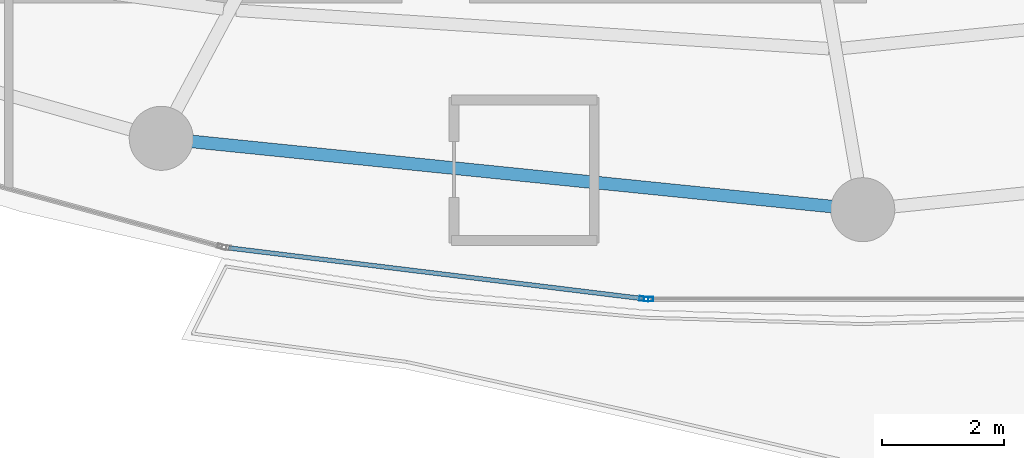
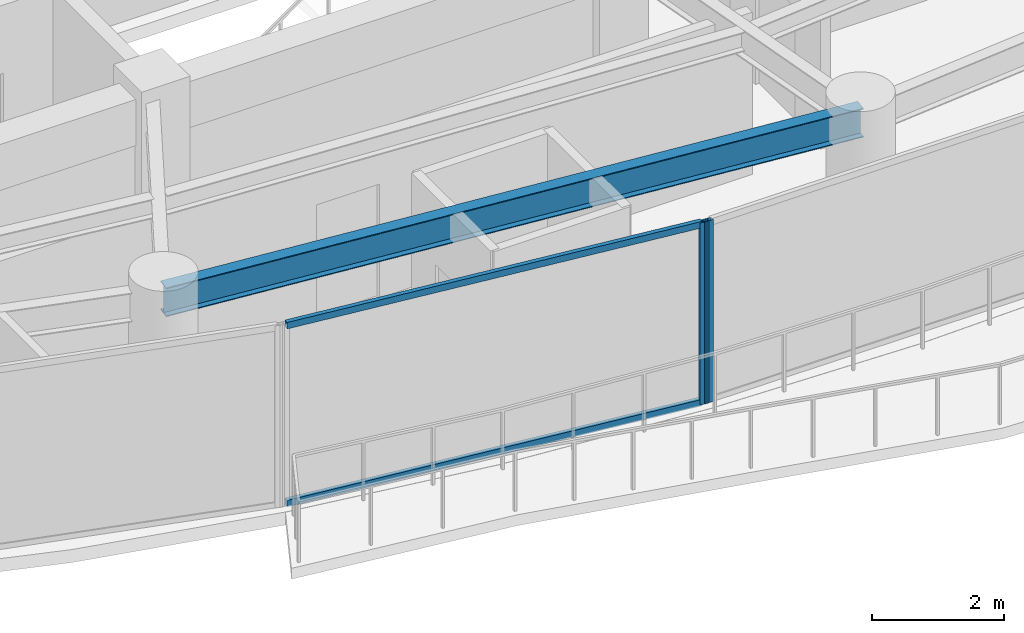
# One storey, part 6 of 31: 4 members, 1 beam, 2 elements without a shape of their own.
"""IFC4 building model written with IfcOpenShell, lengths in metres."""

from ifc_helpers import new_model, si_unit, direction, frame, origin, origin_2d, place, context, subcontext, project, spatial, hollow_rectangle, i_section, extrude, material, layer, layer_set, material_profile, profile_set, type_object, element, aggregate, save


model = new_model("IFC4")

# Units and contexts
model_context = context("Model", 3, precision=1e-05, world=origin(), true_north=direction((0.0, 1.0)))
body_context = subcontext(model_context, "Body", "Model", "MODEL_VIEW")
ifc_project = project(units=[si_unit("LENGTHUNIT", "METRE"), si_unit("AREAUNIT", "SQUARE_METRE"), si_unit("VOLUMEUNIT", "CUBIC_METRE"), si_unit("PLANEANGLEUNIT", "RADIAN"), si_unit("MASSUNIT", "GRAM", prefix="KILO")], contexts=[model_context])

# Site, building, storey
site_placement = place(None, origin())
site = spatial("IfcSite", under=ifc_project, at=site_placement, CompositionType="ELEMENT")
building_placement = place(site_placement, origin())
building = spatial("IfcBuilding", under=site, at=building_placement, Name="Kazevale Care Tower and Concert Hall", CompositionType="ELEMENT")
storey_placement = place(building_placement, frame((0.0, 0.0, 220.800048828125)))
storey = spatial("IfcBuildingStorey", under=building, at=storey_placement, Name="L58", CompositionType="ELEMENT", Elevation=220.800048828125)

# Curtain wall, member
ifc_material_1 = material(Name="Aluminium 6063-T6 and Low-E Glass", Category="aluminium")
ifc_layer = layer(ifc_material_1, 0.179931640625)
ifc_layer_set = layer_set([ifc_layer], Name="Aluminium 6063-T6 and Low-E Glass")
curtain_wall_type = type_object("IfcCurtainWallType", Name="Sheltered Concave Balcony Curtain Wall CW-5", PredefinedType="NOTDEFINED", material=ifc_layer_set)
curtain_wall_1_placement = place(storey_placement, origin())
curtain_wall_1 = element("IfcCurtainWall", 1, at=curtain_wall_1_placement, inside=storey, type_object=curtain_wall_type, Name="cw:L58:f06", PredefinedType="NOTDEFINED")
ifc_material_2 = material(Name="Aluminium 6063-T6", Category="aluminium")
ifc_material_profile_1 = material_profile(ifc_material_2, hollow_rectangle(XDim=0.074951171875, YDim=0.14990234375, WallThickness=0.00390625, at=origin_2d()), Name="ALU75x150x4")
ifc_profile_set_1 = profile_set([ifc_material_profile_1], Name="Aluminium 6063-T6")
member_type_1 = type_object("IfcMemberType", Name="CW-5 Mullion ALU75x150x4", PredefinedType="MULLION", material=ifc_profile_set_1)
member_1_placement = place(storey_placement, frame((41.487548828125, 16.284912109375, 0.0), z_axis=(0.0, 0.0, 1.0), x_axis=(0.0, -1.0, 0.0)))
member_1 = element("IfcMember", 2, at=member_1_placement, type_object=member_type_1, Name="CW-5 mullion 2", PredefinedType="MULLION", context=body_context, shape_type="SweptSolid", body=[
    extrude(hollow_rectangle(XDim=0.074951171875, YDim=0.14990234375, WallThickness=0.00390625, at=origin_2d()), origin(), (0.0, 0.0, 1.0), 3.35986328125),
])
aggregate(curtain_wall_1, [member_1])

# Curtain wall, members
curtain_wall_2_placement = place(storey_placement, origin())
curtain_wall_2 = element("IfcCurtainWall", 3, at=curtain_wall_2_placement, inside=storey, type_object=curtain_wall_type, Name="cw:L58:f07", PredefinedType="NOTDEFINED")
member_2_placement = place(storey_placement, frame((41.412841796875, 16.28955078125, 0.0), z_axis=(0.0, 0.0, 1.0), x_axis=(-0.121650797964, -0.992572961225, 0.0)))
member_2 = element("IfcMember", 4, at=member_2_placement, type_object=member_type_1, Name="CW-5 mullion 1", PredefinedType="MULLION", context=body_context, shape_type="SweptSolid", body=[
    extrude(hollow_rectangle(XDim=0.074951171875, YDim=0.14990234375, WallThickness=0.00390625, at=origin_2d()), origin(), (0.0, 0.0, 1.0), 3.35986328125),
])
ifc_material_profile_2 = material_profile(ifc_material_2, hollow_rectangle(XDim=0.074951171875, YDim=0.1201171875, WallThickness=0.00390625, at=origin_2d()), Name="ALU75x120x4")
ifc_profile_set_2 = profile_set([ifc_material_profile_2], Name="Aluminium 6063-T6")
member_type_2 = type_object("IfcMemberType", Name="CW-5 Transom ALU75x120x4", PredefinedType="USERDEFINED", material=ifc_profile_set_2)
member_3_placement = place(storey_placement, frame((41.37548828125, 16.294189453125, 0.037353515625), z_axis=(-0.992575633306, 0.121628993941, 0.0), x_axis=(-0.121628993941, -0.992575633306, 0.0)))
member_3 = element("IfcMember", 5, at=member_3_placement, type_object=member_type_2, Name="CW-5 transom 1.1", ObjectType="TRANSOM", PredefinedType="USERDEFINED", context=body_context, shape_type="SweptSolid", body=[
    extrude(hollow_rectangle(XDim=0.074951171875, YDim=0.1201171875, WallThickness=0.00390625, at=origin_2d()), origin(), (0.0, 0.0, 1.0), 6.820556640625),
])
member_4_placement = place(storey_placement, frame((41.37548828125, 16.294189453125, 3.322509765625), z_axis=(-0.992575633306, 0.121628993941, 0.0), x_axis=(-0.121628993941, -0.992575633306, 0.0)))
member_4 = element("IfcMember", 6, at=member_4_placement, type_object=member_type_2, Name="CW-5 transom 1.2", ObjectType="TRANSOM", PredefinedType="USERDEFINED", context=body_context, shape_type="SweptSolid", body=[
    extrude(hollow_rectangle(XDim=0.074951171875, YDim=0.1201171875, WallThickness=0.00390625, at=origin_2d()), origin(), (0.0, 0.0, 1.0), 6.820556640625),
])
aggregate(curtain_wall_2, [member_2, member_3, member_4])

# Beam
ifc_material_3 = material(Name="Steel ASTM A572 Gr 50", Category="steel")
ifc_material_profile_3 = material_profile(ifc_material_3, i_section(OverallWidth=0.208984375, OverallDepth=0.532958984375, WebThickness=0.01025390625, FlangeThickness=0.015625, at=origin_2d()), Name="W530x92")
ifc_profile_set_3 = profile_set([ifc_material_profile_3], Name="Steel ASTM A572 Gr 50")
beam_type = type_object("IfcBeamType", Name="Upper Ring Beam W530x92", PredefinedType="BEAM", material=ifc_profile_set_3)
beam_placement = place(storey_placement, frame((33.5, 18.919921875, 3.093505859375), z_axis=(0.994865089307, -0.101209950492, 0.0), x_axis=(0.101209950492, 0.994865089307, 0.0)))
element("IfcBeam", 7, at=beam_placement, inside=storey, type_object=beam_type, Name="beam:L58:ring:12", PredefinedType="BEAM", context=body_context, shape_type="SweptSolid", body=[
    extrude(i_section(OverallWidth=0.208984375, OverallDepth=0.532958984375, WebThickness=0.01025390625, FlangeThickness=0.015625, at=origin_2d()), origin(), (0.0, 0.0, 1.0), 11.559326171875),
])

save(model, "model.ifc")
